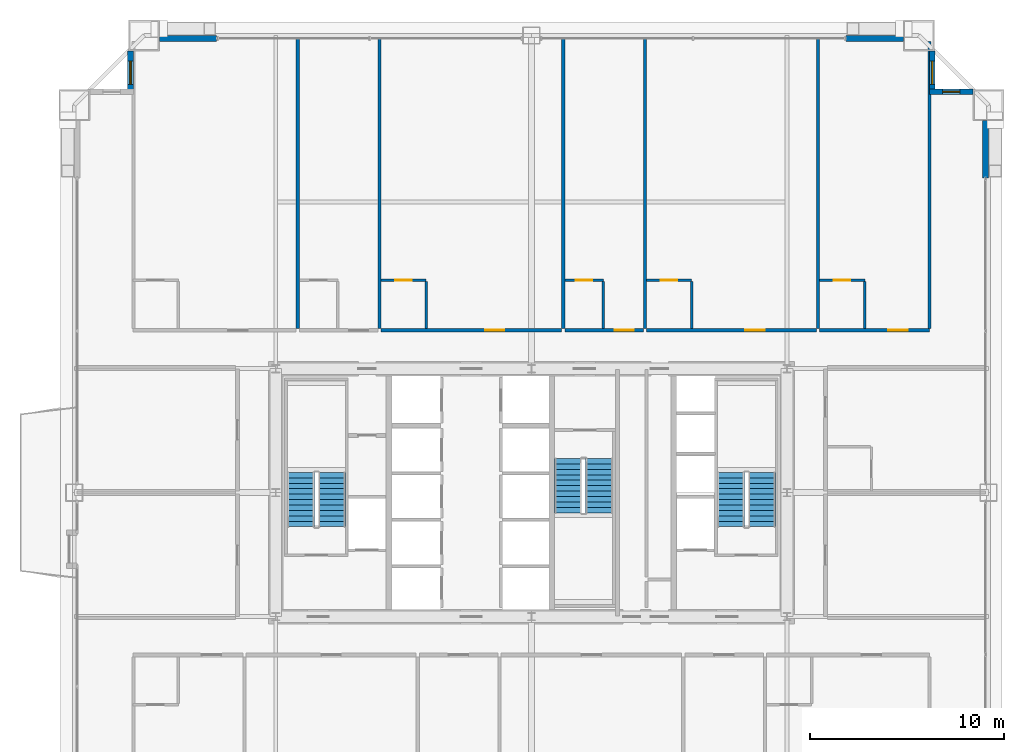
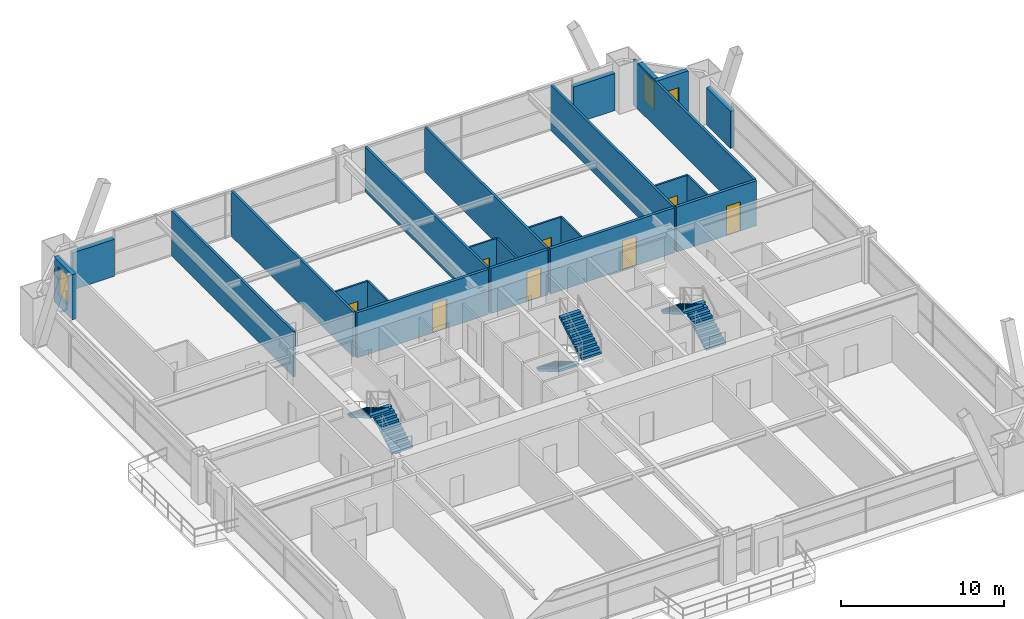
# One storey, part 41 of 42: 24 walls, 8 doors, 6 stair flights, 3 windows, 11 openings, 3 elements without a shape of their own.
"""IFC4 building model written with IfcOpenShell, lengths in metres."""

from ifc_helpers import new_model, si_unit, direction, frame, frame_2d, origin, place, context, subcontext, project, spatial, polyline, rectangle, outline, extrude, source, transform, mapped, material, layer, layer_set, type_object, element, fill, aggregate, save


model = new_model("IFC4")

# Units and contexts
model_context = context("Model", 3, precision=1e-05, world=origin(), true_north=direction((0.0, 1.0)))
body_context = subcontext(model_context, "Body", "Model", "MODEL_VIEW")
ifc_project = project(units=[si_unit("LENGTHUNIT", "METRE"), si_unit("AREAUNIT", "SQUARE_METRE"), si_unit("VOLUMEUNIT", "CUBIC_METRE"), si_unit("PLANEANGLEUNIT", "RADIAN"), si_unit("MASSUNIT", "GRAM", prefix="KILO"), si_unit("THERMODYNAMICTEMPERATUREUNIT", "KELVIN"), si_unit("POWERUNIT", "WATT")], contexts=[model_context])

# Site, building, storey
site_placement = place(None, origin())
site = spatial("IfcSite", under=ifc_project, at=site_placement, CompositionType="ELEMENT")
building_placement = place(site_placement, origin())
building = spatial("IfcBuilding", under=site, at=building_placement, Name="Yuzanri Waterfront Tower", CompositionType="ELEMENT")
storey_placement = place(building_placement, frame((0.0, 0.0, 145.199951171875)))
storey = spatial("IfcBuildingStorey", under=building, at=storey_placement, Name="L38", CompositionType="ELEMENT", Elevation=145.199951171875)

# Wall, opening, door
ifc_material_1 = material(Name="Moisture-Resistant Gypsum Stud Wall", Category="gypsum")
ifc_layer_1 = layer(ifc_material_1, 0.1201171875)
ifc_layer_set_1 = layer_set([ifc_layer_1], Name="Moisture-Resistant Gypsum Stud Wall")
wall_type_1 = type_object("IfcWallType", Name="Bathroom and Kitchen Wet Partition 120", PredefinedType="PARTITIONING", material=ifc_layer_set_1)
wall_1_placement = place(storey_placement, frame((29.239990234375, 36.760009765625, 0.0), z_axis=(0.0, 0.0, 1.0), x_axis=(1.0, 0.0, 0.0)))
wall_1 = element("IfcWall", 1, at=wall_1_placement, inside=storey, type_object=wall_type_1, Name="L38 Partition UW-L38-N3-BN", PredefinedType="PARTITIONING", context=body_context, shape_type="SweptSolid", body=[
    extrude(rectangle(XDim=2.330078125, YDim=0.1201171875, at=frame_2d((1.1650390625, 0.0))), origin(), (0.0, 0.0, 1.0), 3.380126953125),
])
opening_1_placement = place(wall_1_placement, frame((0.739990234375, 0.0, 0.0)))
opening_1 = element("IfcOpeningElement", 2, at=opening_1_placement, cuts=wall_1, Name="Opening ID-0850", PredefinedType="OPENING", context=body_context, shape_type="SweptSolid", body=[
    extrude(rectangle(XDim=0.85009765625, YDim=2.10009765625, at=frame_2d((0.425048828125, 1.050048828125))), frame((0.0, 0.074951171875, 0.0), z_axis=(0.0, -1.0, 0.0), x_axis=(1.0, 0.0, 0.0)), (0.0, 0.0, 1.0), 0.14990234375),
])
ifc_material_2 = material(Name="Moisture-Resistant Lacquered Timber", Category="wood")
door_type_1 = type_object("IfcDoorType", Name="En-Suite Bathroom and Kitchen Swing Door 850x2100", OperationType="NOTDEFINED", PredefinedType="DOOR", material=ifc_material_2)
shared_shape_1 = source(origin(), body_context, "Body", "SweptSolid", [
    extrude(rectangle(XDim=0.85009765625, YDim=2.10009765625, at=frame_2d((0.425048828125, 1.050048828125))), frame((0.0, 0.02490234375, 0.0), z_axis=(0.0, -1.0, 0.0), x_axis=(1.0, 0.0, 0.0)), (0.0, 0.0, 1.0), 0.050048828125),
])
door_1_placement = place(opening_1_placement, origin())
door_1 = element("IfcDoor", 3, at=door_1_placement, inside=storey, type_object=door_type_1, Name="L38 Guest En-Suite Door", OperationType="SINGLE_SWING_LEFT", OverallHeight=2.10009765625, OverallWidth=0.85009765625, PredefinedType="DOOR", context=body_context, shape_type="MappedRepresentation", body=[
    mapped(shared_shape_1, transform((0.0, 0.0, 0.0), scale=1.0)),
])
fill(opening_1, door_1)

wall_2_placement = place(storey_placement, frame((38.72509765625, 36.760009765625, 0.0), z_axis=(0.0, 0.0, 1.0), x_axis=(1.0, 0.0, 0.0)))
wall_2 = element("IfcWall", 4, at=wall_2_placement, inside=storey, type_object=wall_type_1, Name="L38 Partition UW-L38-N4-BN", PredefinedType="PARTITIONING", context=body_context, shape_type="SweptSolid", body=[
    extrude(rectangle(XDim=1.990966796875, YDim=0.1201171875, at=frame_2d((0.99560546875, 0.0))), origin(), (0.0, 0.0, 1.0), 3.380126953125),
])
opening_2_placement = place(wall_2_placement, frame((0.570556640625, 0.0, 0.0)))
opening_2 = element("IfcOpeningElement", 5, at=opening_2_placement, cuts=wall_2, Name="Opening ID-0850", PredefinedType="OPENING", context=body_context, shape_type="SweptSolid", body=[
    extrude(rectangle(XDim=0.85009765625, YDim=2.10009765625, at=frame_2d((0.425048828125, 1.050048828125))), frame((0.0, 0.074951171875, 0.0), z_axis=(0.0, -1.0, 0.0), x_axis=(1.0, 0.0, 0.0)), (0.0, 0.0, 1.0), 0.14990234375),
])
door_2_placement = place(opening_2_placement, origin())
door_2 = element("IfcDoor", 6, at=door_2_placement, inside=storey, type_object=door_type_1, Name="L38 Guest En-Suite Door", OperationType="SINGLE_SWING_LEFT", OverallHeight=2.10009765625, OverallWidth=0.85009765625, PredefinedType="DOOR", context=body_context, shape_type="MappedRepresentation", body=[
    mapped(shared_shape_1, transform((0.0, 0.0, 0.0), scale=1.0)),
])
fill(opening_2, door_2)

wall_3_placement = place(storey_placement, frame((42.946044921875, 36.760009765625, 0.0), z_axis=(0.0, 0.0, 1.0), x_axis=(1.0, 0.0, 0.0)))
wall_3 = element("IfcWall", 7, at=wall_3_placement, inside=storey, type_object=wall_type_1, Name="L38 Partition UW-L38-N5-BN", PredefinedType="PARTITIONING", context=body_context, shape_type="SweptSolid", body=[
    extrude(rectangle(XDim=2.329833984375, YDim=0.1201171875, at=frame_2d((1.1650390625, 0.0))), origin(), (0.0, 0.0, 1.0), 3.380126953125),
])
opening_3_placement = place(wall_3_placement, frame((0.739990234375, 0.0, 0.0)))
opening_3 = element("IfcOpeningElement", 8, at=opening_3_placement, cuts=wall_3, Name="Opening ID-0850", PredefinedType="OPENING", context=body_context, shape_type="SweptSolid", body=[
    extrude(rectangle(XDim=0.85009765625, YDim=2.10009765625, at=frame_2d((0.425048828125, 1.050048828125))), frame((0.0, 0.074951171875, 0.0), z_axis=(0.0, -1.0, 0.0), x_axis=(1.0, 0.0, 0.0)), (0.0, 0.0, 1.0), 0.14990234375),
])
door_3_placement = place(opening_3_placement, origin())
door_3 = element("IfcDoor", 9, at=door_3_placement, inside=storey, type_object=door_type_1, Name="L38 Guest En-Suite Door", OperationType="SINGLE_SWING_LEFT", OverallHeight=2.10009765625, OverallWidth=0.85009765625, PredefinedType="DOOR", context=body_context, shape_type="MappedRepresentation", body=[
    mapped(shared_shape_1, transform((0.0, 0.0, 0.0), scale=1.0)),
])
fill(opening_3, door_3)

wall_4_placement = place(storey_placement, frame((51.883056640625, 36.760009765625, 0.0), z_axis=(0.0, 0.0, 1.0), x_axis=(1.0, 0.0, 0.0)))
wall_4 = element("IfcWall", 10, at=wall_4_placement, inside=storey, type_object=wall_type_1, Name="L38 Partition UW-L38-N6-BN", PredefinedType="PARTITIONING", context=body_context, shape_type="SweptSolid", body=[
    extrude(rectangle(XDim=2.329833984375, YDim=0.1201171875, at=frame_2d((1.1650390625, 0.0))), origin(), (0.0, 0.0, 1.0), 3.380126953125),
])
opening_4_placement = place(wall_4_placement, frame((0.739990234375, 0.0, 0.0)))
opening_4 = element("IfcOpeningElement", 11, at=opening_4_placement, cuts=wall_4, Name="Opening ID-0850", PredefinedType="OPENING", context=body_context, shape_type="SweptSolid", body=[
    extrude(rectangle(XDim=0.85009765625, YDim=2.10009765625, at=frame_2d((0.425048828125, 1.050048828125))), frame((0.0, 0.074951171875, 0.0), z_axis=(0.0, -1.0, 0.0), x_axis=(1.0, 0.0, 0.0)), (0.0, 0.0, 1.0), 0.14990234375),
])
door_4_placement = place(opening_4_placement, origin())
door_4 = element("IfcDoor", 12, at=door_4_placement, inside=storey, type_object=door_type_1, Name="L38 Guest En-Suite Door", OperationType="SINGLE_SWING_LEFT", OverallHeight=2.10009765625, OverallWidth=0.85009765625, PredefinedType="DOOR", context=body_context, shape_type="MappedRepresentation", body=[
    mapped(shared_shape_1, transform((0.0, 0.0, 0.0), scale=1.0)),
])
fill(opening_4, door_4)

# Wall, opening, window
ifc_material_3 = material(Name="Honed Chongqing Dark Basalt Stone", Category="masonry")
ifc_layer_2 = layer(ifc_material_3, 0.300048828125)
ifc_layer_set_2 = layer_set([ifc_layer_2], Name="Honed Chongqing Dark Basalt Stone")
wall_type_2 = type_object("IfcWallType", Name="Bronze Rainscreen Insulated Spandrel Portal Wall 300", PredefinedType="SOLIDWALL", material=ifc_layer_set_2)
wall_5_placement = place(storey_placement, frame((16.300048828125, 48.60009765625, 0.0), z_axis=(0.0, 0.0, 1.0), x_axis=(0.0, -1.0, 0.0)))
wall_5 = element("IfcWall", 13, at=wall_5_placement, inside=storey, type_object=wall_type_2, Name="L38 Notched Corner Masonry Wall NW-Y", PredefinedType="SOLIDWALL", context=body_context, shape_type="SweptSolid", body=[
    extrude(rectangle(XDim=2.25, YDim=0.300048828125, at=frame_2d((1.125, 0.0))), origin(), (0.0, 0.0, 1.0), 3.380126953125),
])
opening_5_placement = place(wall_5_placement, frame((0.52490234375, 0.0, 0.85009765625)))
opening_5 = element("IfcOpeningElement", 14, at=opening_5_placement, cuts=wall_5, Name="Opening WN-02", PredefinedType="OPENING", context=body_context, shape_type="SweptSolid", body=[
    extrude(rectangle(XDim=1.199951171875, YDim=2.10009765625, at=frame_2d((0.60009765625, 1.050048828125))), frame((0.0, 0.1650390625, 0.0), z_axis=(0.0, -1.0, 0.0), x_axis=(1.0, 0.0, 0.0)), (0.0, 0.0, 1.0), 0.329833984375),
])
ifc_material_4 = material(Name="Double-Silver Low-E Insulated Glass", Category="glass")
window_type_1 = type_object("IfcWindowType", Name="Anodized Bronze Notched Corner Deep-Set Slot Window 1200x2100", PartitioningType="SINGLE_PANEL", PredefinedType="WINDOW", material=ifc_material_4)
shared_shape_2 = source(origin(), body_context, "Body", "SweptSolid", [
    extrude(rectangle(XDim=1.199951171875, YDim=2.10009765625, at=frame_2d((0.60009765625, 1.050048828125))), frame((0.0, 0.030029296875, 0.0), z_axis=(0.0, -1.0, 0.0), x_axis=(1.0, 0.0, 0.0)), (0.0, 0.0, 1.0), 0.06005859375),
])
window_1_placement = place(opening_5_placement, origin())
window_1 = element("IfcWindow", 15, at=window_1_placement, inside=storey, type_object=window_type_1, Name="L38 Notched Corner Window NW-Y", OverallHeight=2.10009765625, OverallWidth=1.199951171875, PartitioningType="SINGLE_PANEL", PredefinedType="WINDOW", context=body_context, shape_type="MappedRepresentation", body=[
    mapped(shared_shape_2, transform((0.0, 0.0, 0.0), scale=1.0)),
])
fill(opening_5, window_1)

wall_6_placement = place(storey_placement, frame((59.800048828125, 46.5, 0.0), z_axis=(0.0, 0.0, 1.0), x_axis=(-1.0, 0.0, 0.0)))
wall_6 = element("IfcWall", 16, at=wall_6_placement, inside=storey, type_object=wall_type_2, Name="L38 Notched Corner Masonry Wall NE-X", PredefinedType="SOLIDWALL", context=body_context, shape_type="SweptSolid", body=[
    extrude(rectangle(XDim=2.25, YDim=0.300048828125, at=frame_2d((1.125, 0.0))), origin(), (0.0, 0.0, 1.0), 3.380126953125),
])
opening_6_placement = place(wall_6_placement, frame((0.675048828125, 0.0, 0.85009765625)))
opening_6 = element("IfcOpeningElement", 17, at=opening_6_placement, cuts=wall_6, Name="Opening WN-05", PredefinedType="OPENING", context=body_context, shape_type="SweptSolid", body=[
    extrude(rectangle(XDim=0.89990234375, YDim=1.5, at=frame_2d((0.449951171875, 0.75))), frame((0.0, 0.1650390625, 0.0), z_axis=(0.0, -1.0, 0.0), x_axis=(1.0, 0.0, 0.0)), (0.0, 0.0, 1.0), 0.329833984375),
])
ifc_material_5 = material(Name="Double-Silver Low-E Insulated Glass", Category="glass")
window_type_2 = type_object("IfcWindowType", Name="Anodized Bronze Service and Stairwell Smoke-Vent Window 900x1500", PartitioningType="SINGLE_PANEL", PredefinedType="WINDOW", material=ifc_material_5)
shared_shape_3 = source(origin(), body_context, "Body", "SweptSolid", [
    extrude(rectangle(XDim=0.89990234375, YDim=1.5, at=frame_2d((0.449951171875, 0.75))), frame((0.0, 0.030029296875, 0.0), z_axis=(0.0, -1.0, 0.0), x_axis=(1.0, 0.0, 0.0)), (0.0, 0.0, 1.0), 0.06005859375),
])
window_2_placement = place(opening_6_placement, origin())
window_2 = element("IfcWindow", 18, at=window_2_placement, inside=storey, type_object=window_type_2, Name="L38 Notched Corner Window NE-X", OverallHeight=1.5, OverallWidth=0.89990234375, PartitioningType="SINGLE_PANEL", PredefinedType="WINDOW", context=body_context, shape_type="MappedRepresentation", body=[
    mapped(shared_shape_3, transform((0.0, 0.0, 0.0), scale=1.0)),
])
fill(opening_6, window_2)

wall_7_placement = place(storey_placement, frame((57.699951171875, 46.35009765625, 0.0), z_axis=(0.0, 0.0, 1.0), x_axis=(0.0, 1.0, 0.0)))
wall_7 = element("IfcWall", 19, at=wall_7_placement, inside=storey, type_object=wall_type_2, Name="L38 Notched Corner Masonry Wall NE-Y", PredefinedType="SOLIDWALL", context=body_context, shape_type="SweptSolid", body=[
    extrude(rectangle(XDim=2.25, YDim=0.300048828125, at=frame_2d((1.125, 0.0))), origin(), (0.0, 0.0, 1.0), 3.380126953125),
])
opening_7_placement = place(wall_7_placement, frame((0.52490234375, 0.0, 0.85009765625)))
opening_7 = element("IfcOpeningElement", 20, at=opening_7_placement, cuts=wall_7, Name="Opening WN-02", PredefinedType="OPENING", context=body_context, shape_type="SweptSolid", body=[
    extrude(rectangle(XDim=1.199951171875, YDim=2.10009765625, at=frame_2d((0.60009765625, 1.050048828125))), frame((0.0, 0.1650390625, 0.0), z_axis=(0.0, -1.0, 0.0), x_axis=(1.0, 0.0, 0.0)), (0.0, 0.0, 1.0), 0.329833984375),
])
window_3_placement = place(opening_7_placement, origin())
window_3 = element("IfcWindow", 21, at=window_3_placement, inside=storey, type_object=window_type_1, Name="L38 Notched Corner Window NE-Y", OverallHeight=2.10009765625, OverallWidth=1.199951171875, PartitioningType="SINGLE_PANEL", PredefinedType="WINDOW", context=body_context, shape_type="MappedRepresentation", body=[
    mapped(shared_shape_2, transform((0.0, 0.0, 0.0), scale=1.0)),
])
fill(opening_7, window_3)

# Wall, opening, door
ifc_material_6 = material(Name="Autoclaved Aerated Concrete Blockwork", Category="masonry")
ifc_layer_3 = layer(ifc_material_6, 0.199951171875)
ifc_layer_set_3 = layer_set([ifc_layer_3], Name="Autoclaved Aerated Concrete Blockwork")
wall_type_3 = type_object("IfcWallType", Name="Corridor and Unit Party Fire Wall 200", PredefinedType="PARTITIONING", material=ifc_layer_set_3)
wall_8_placement = place(storey_placement, frame((29.239990234375, 34.179931640625, 0.0), z_axis=(0.0, 0.0, 1.0), x_axis=(1.0, 0.0, 0.0)))
wall_8 = element("IfcWall", 22, at=wall_8_placement, inside=storey, type_object=wall_type_3, Name="L38 Partition UW-L38-N3-CS", PredefinedType="PARTITIONING", context=body_context, shape_type="SweptSolid", body=[
    extrude(rectangle(XDim=9.324951171875, YDim=0.199951171875, at=frame_2d((4.66259765625, 0.0))), origin(), (0.0, 0.0, 1.0), 3.380126953125),
])
opening_8_placement = place(wall_8_placement, frame((5.367919921875, 0.0, 0.0)))
opening_8 = element("IfcOpeningElement", 23, at=opening_8_placement, cuts=wall_8, Name="Opening FD-1000", PredefinedType="OPENING", context=body_context, shape_type="SweptSolid", body=[
    extrude(rectangle(XDim=1.0, YDim=2.199951171875, at=frame_2d((0.5, 1.10009765625))), frame((0.0, 0.11474609375, 0.0), z_axis=(0.0, -1.0, 0.0), x_axis=(1.0, 0.0, 0.0)), (0.0, 0.0, 1.0), 0.229736328125),
])
ifc_material_7 = material(Name="Engineered Oak Fire-Rated Timber", Category="wood")
door_type_2 = type_object("IfcDoorType", Name="Guestroom and Apartment Entrance Fire Door 1000x2200", OperationType="NOTDEFINED", PredefinedType="DOOR", material=ifc_material_7)
shared_shape_4 = source(origin(), body_context, "Body", "SweptSolid", [
    extrude(rectangle(XDim=1.0, YDim=2.199951171875, at=frame_2d((0.5, 1.10009765625))), frame((0.0, 0.02490234375, 0.0), z_axis=(0.0, -1.0, 0.0), x_axis=(1.0, 0.0, 0.0)), (0.0, 0.0, 1.0), 0.050048828125),
])
door_5_placement = place(opening_8_placement, origin())
door_5 = element("IfcDoor", 24, at=door_5_placement, inside=storey, type_object=door_type_2, Name="L38 Deluxe Twin Junior Suite Entrance Door", OperationType="SINGLE_SWING_RIGHT", OverallHeight=2.199951171875, OverallWidth=1.0, PredefinedType="DOOR", context=body_context, shape_type="MappedRepresentation", body=[
    mapped(shared_shape_4, transform((0.0, 0.0, 0.0), scale=1.0)),
])
fill(opening_8, door_5)

wall_9_placement = place(storey_placement, frame((38.72509765625, 34.179931640625, 0.0), z_axis=(0.0, 0.0, 1.0), x_axis=(1.0, 0.0, 0.0)))
wall_9 = element("IfcWall", 25, at=wall_9_placement, inside=storey, type_object=wall_type_3, Name="L38 Partition UW-L38-N4-CS", PredefinedType="PARTITIONING", context=body_context, shape_type="SweptSolid", body=[
    extrude(rectangle(XDim=4.060791015625, YDim=0.199951171875, at=frame_2d((2.0302734375, 0.0))), origin(), (0.0, 0.0, 1.0), 3.380126953125),
])
opening_9_placement = place(wall_9_placement, frame((2.56591796875, 0.0, 0.0)))
opening_9 = element("IfcOpeningElement", 26, at=opening_9_placement, cuts=wall_9, Name="Opening FD-1000", PredefinedType="OPENING", context=body_context, shape_type="SweptSolid", body=[
    extrude(rectangle(XDim=1.0, YDim=2.199951171875, at=frame_2d((0.5, 1.10009765625))), frame((0.0, 0.11474609375, 0.0), z_axis=(0.0, -1.0, 0.0), x_axis=(1.0, 0.0, 0.0)), (0.0, 0.0, 1.0), 0.229736328125),
])
door_6_placement = place(opening_9_placement, origin())
door_6 = element("IfcDoor", 27, at=door_6_placement, inside=storey, type_object=door_type_2, Name="L38 Deluxe Twin Guest Room Entrance Door", OperationType="SINGLE_SWING_RIGHT", OverallHeight=2.199951171875, OverallWidth=1.0, PredefinedType="DOOR", context=body_context, shape_type="MappedRepresentation", body=[
    mapped(shared_shape_4, transform((0.0, 0.0, 0.0), scale=1.0)),
])
fill(opening_9, door_6)

wall_10_placement = place(storey_placement, frame((42.946044921875, 34.179931640625, 0.0), z_axis=(0.0, 0.0, 1.0), x_axis=(1.0, 0.0, 0.0)))
wall_10 = element("IfcWall", 28, at=wall_10_placement, inside=storey, type_object=wall_type_3, Name="L38 Partition UW-L38-N5-CS", PredefinedType="PARTITIONING", context=body_context, shape_type="SweptSolid", body=[
    extrude(rectangle(XDim=8.77685546875, YDim=0.199951171875, at=frame_2d((4.388427734375, 0.0))), origin(), (0.0, 0.0, 1.0), 3.380126953125),
])
opening_10_placement = place(wall_10_placement, frame((5.093017578125, 0.0, 0.0)))
opening_10 = element("IfcOpeningElement", 29, at=opening_10_placement, cuts=wall_10, Name="Opening FD-1000", PredefinedType="OPENING", context=body_context, shape_type="SweptSolid", body=[
    extrude(rectangle(XDim=1.0, YDim=2.199951171875, at=frame_2d((0.5, 1.10009765625))), frame((0.0, 0.11474609375, 0.0), z_axis=(0.0, -1.0, 0.0), x_axis=(1.0, 0.0, 0.0)), (0.0, 0.0, 1.0), 0.229736328125),
])
door_7_placement = place(opening_10_placement, origin())
door_7 = element("IfcDoor", 30, at=door_7_placement, inside=storey, type_object=door_type_2, Name="L38 Deluxe Twin Junior Suite Entrance Door", OperationType="SINGLE_SWING_RIGHT", OverallHeight=2.199951171875, OverallWidth=1.0, PredefinedType="DOOR", context=body_context, shape_type="MappedRepresentation", body=[
    mapped(shared_shape_4, transform((0.0, 0.0, 0.0), scale=1.0)),
])
fill(opening_10, door_7)

wall_11_placement = place(storey_placement, frame((51.883056640625, 34.179931640625, 0.0), z_axis=(0.0, 0.0, 1.0), x_axis=(1.0, 0.0, 0.0)))
wall_11 = element("IfcWall", 31, at=wall_11_placement, inside=storey, type_object=wall_type_3, Name="L38 Partition UW-L38-N6-CS", PredefinedType="PARTITIONING", context=body_context, shape_type="SweptSolid", body=[
    extrude(rectangle(XDim=5.677001953125, YDim=0.199951171875, at=frame_2d((2.83837890625, 0.0))), origin(), (0.0, 0.0, 1.0), 3.380126953125),
])
opening_11_placement = place(wall_11_placement, frame((3.5439453125, 0.0, 0.0)))
opening_11 = element("IfcOpeningElement", 32, at=opening_11_placement, cuts=wall_11, Name="Opening FD-1000", PredefinedType="OPENING", context=body_context, shape_type="SweptSolid", body=[
    extrude(rectangle(XDim=1.0, YDim=2.199951171875, at=frame_2d((0.5, 1.10009765625))), frame((0.0, 0.11474609375, 0.0), z_axis=(0.0, -1.0, 0.0), x_axis=(1.0, 0.0, 0.0)), (0.0, 0.0, 1.0), 0.229736328125),
])
door_8_placement = place(opening_11_placement, origin())
door_8 = element("IfcDoor", 33, at=door_8_placement, inside=storey, type_object=door_type_2, Name="L38 Deluxe Twin Junior Suite Entrance Door", OperationType="SINGLE_SWING_RIGHT", OverallHeight=2.199951171875, OverallWidth=1.0, PredefinedType="DOOR", context=body_context, shape_type="MappedRepresentation", body=[
    mapped(shared_shape_4, transform((0.0, 0.0, 0.0), scale=1.0)),
])
fill(opening_11, door_8)

# Walls
shared_shape_5 = source(origin(), body_context, "Body", "SweptSolid", [
    extrude(rectangle(XDim=2.949951171875, YDim=0.300048828125, at=frame_2d((1.47509765625, 0.0))), origin(), (0.0, 0.0, 1.0), 2.775146484375),
])
for number, where, z_axis, x_axis, name in (
    (34, (17.800048828125, 49.25, 0.0), (0.0, 0.0, 1.0), (1.0, 0.0, 0.0), "L38 N Left Braced Masonry Shoulder"),
    (35, (53.25, 49.25, 0.0), (0.0, 0.0, 1.0), (1.0, 0.0, 0.0), "L38 N Right Braced Masonry Shoulder"),
    (36, (60.449951171875, 42.050048828125, 0.0), (0.0, 0.0, 1.0), (0.0, 1.0, 0.0), "L38 E Right Braced Masonry Shoulder"),
):
    element("IfcWall", number, at=place(storey_placement, frame(where, z_axis=z_axis, x_axis=x_axis)), inside=storey, type_object=wall_type_2, Name=name, PredefinedType="SOLIDWALL", context=body_context, shape_type="MappedRepresentation", body=[
        mapped(shared_shape_5, transform((0.0, 0.0, 0.0), scale=1.0)),
    ])
shared_shape_6 = source(origin(), body_context, "Body", "SweptSolid", [
    extrude(rectangle(XDim=2.419921875, YDim=0.1201171875, at=frame_2d((1.2099609375, 0.0))), origin(), (0.0, 0.0, 1.0), 3.380126953125),
])
for number, where, z_axis, x_axis, name in (
    (37, (31.570068359375, 34.280029296875, 0.0), (0.0, 0.0, 1.0), (0.0, 1.0, 0.0), "L38-N3 En-Suite Side Wall"),
    (38, (40.716064453125, 34.280029296875, 0.0), (0.0, 0.0, 1.0), (0.0, 1.0, 0.0), "L38-N4 En-Suite Side Wall"),
    (39, (45.27587890625, 34.280029296875, 0.0), (0.0, 0.0, 1.0), (0.0, 1.0, 0.0), "L38-N5 En-Suite Side Wall"),
    (40, (54.212890625, 34.280029296875, 0.0), (0.0, 0.0, 1.0), (0.0, 1.0, 0.0), "L38-N6 En-Suite Side Wall"),
):
    element("IfcWall", number, at=place(storey_placement, frame(where, z_axis=z_axis, x_axis=x_axis)), inside=storey, type_object=wall_type_1, Name=name, PredefinedType="PARTITIONING", context=body_context, shape_type="MappedRepresentation", body=[
        mapped(shared_shape_6, transform((0.0, 0.0, 0.0), scale=1.0)),
    ])
ifc_material_8 = material(Name="Gypsum Fireboard Acoustic Stud Wall", Category="gypsum")
ifc_layer_4 = layer(ifc_material_8, 0.159912109375)
ifc_layer_set_4 = layer_set([ifc_layer_4], Name="Gypsum Fireboard Acoustic Stud Wall")
wall_type_4 = type_object("IfcWallType", Name="Acoustic Suite Demising Partition 160", PredefinedType="PARTITIONING", material=ifc_layer_set_4)
shared_shape_7 = source(origin(), body_context, "Body", "SweptSolid", [
    extrude(rectangle(XDim=14.969970703125, YDim=0.159912109375, at=frame_2d((7.48486328125, 0.0))), origin(), (0.0, 0.0, 1.0), 3.380126953125),
])
for number, where, z_axis, x_axis, name in (
    (41, (24.93798828125, 34.280029296875, 0.0), (0.0, 0.0, 1.0), (0.0, 1.0, 0.0), "L38-N1 Party Wall"),
    (42, (29.159912109375, 34.280029296875, 0.0), (0.0, 0.0, 1.0), (0.0, 1.0, 0.0), "L38-N2 Party Wall"),
    (43, (38.64501953125, 34.280029296875, 0.0), (0.0, 0.0, 1.0), (0.0, 1.0, 0.0), "L38-N3 Party Wall"),
    (44, (42.865966796875, 34.280029296875, 0.0), (0.0, 0.0, 1.0), (0.0, 1.0, 0.0), "L38-N4 Party Wall"),
    (45, (51.802978515625, 34.280029296875, 0.0), (0.0, 0.0, 1.0), (0.0, 1.0, 0.0), "L38-N5 Party Wall"),
):
    element("IfcWall", number, at=place(storey_placement, frame(where, z_axis=z_axis, x_axis=x_axis)), inside=storey, type_object=wall_type_4, Name=name, PredefinedType="PARTITIONING", context=body_context, shape_type="MappedRepresentation", body=[
        mapped(shared_shape_7, transform((0.0, 0.0, 0.0), scale=1.0)),
    ])
shared_shape_8 = source(origin(), body_context, "Body", "SweptSolid", [
    extrude(rectangle(XDim=14.820068359375, YDim=0.159912109375, at=frame_2d((7.41015625, 0.0))), origin(), (0.0, 0.0, 1.0), 3.380126953125),
])
wall_12_placement = place(storey_placement, frame((57.550048828125, 34.280029296875, 0.0), z_axis=(0.0, 0.0, 1.0), x_axis=(0.0, 1.0, 0.0)))
element("IfcWall", 46, at=wall_12_placement, inside=storey, type_object=wall_type_4, Name="L38 North Band East End Wall", PredefinedType="PARTITIONING", context=body_context, shape_type="MappedRepresentation", body=[
    mapped(shared_shape_8, transform((0.0, 0.0, 0.0), scale=1.0)),
])

# Stair, stair flights
ifc_material_9 = material(Name="Concrete C40", Category="concrete")
stair_type = type_object("IfcStairType", Name="Concrete C40 Core Dogleg Exit Stair", PredefinedType="HALF_TURN_STAIR", material=ifc_material_9)
stair_1_placement = place(storey_placement, origin())
stair_1 = element("IfcStair", 47, at=stair_1_placement, inside=storey, type_object=stair_type, Name="L38 Smoke-Proof Core Stair ST-01", PredefinedType="HALF_TURN_STAIR")
ifc_material_10 = material(Name="Concrete C40", Category="concrete")
stair_flight_type = type_object("IfcStairFlightType", Name="Concrete C40 Precast Stair Flight 1380", PredefinedType="STRAIGHT", material=ifc_material_10)
shared_shape_9 = source(origin(), body_context, "Body", "SweptSolid", [
    extrude(outline(polyline([(0.0, 0.0), (0.0, 0.16357421875), (0.280029296875, 0.16357421875), (0.280029296875, 0.327392578125), (0.56005859375, 0.327392578125), (0.56005859375, 0.490966796875), (0.840087890625, 0.490966796875), (0.840087890625, 0.654541015625), (1.1201171875, 0.654541015625), (1.1201171875, 0.818115234375), (1.39990234375, 0.818115234375), (1.39990234375, 0.98193359375), (1.679931640625, 0.98193359375), (1.679931640625, 1.1455078125), (1.9599609375, 1.1455078125), (1.9599609375, 1.30908203125), (2.239990234375, 1.30908203125), (2.239990234375, 1.47265625), (2.52001953125, 1.47265625), (2.52001953125, 1.636474609375), (2.800048828125, 1.636474609375), (2.800048828125, 1.800048828125), (2.800048828125, 1.462646484375), (0.297119140625, 0.0), (0.0, 0.0)])), frame((0.0, 0.699951171875, 0.0), z_axis=(0.0, -1.0, 0.0), x_axis=(1.0, 0.0, 0.0)), (0.0, 0.0, 1.0), 1.39990234375),
])
stair_flight_1_placement = place(storey_placement, frame((26.699951171875, 24.0400390625, 0.0), z_axis=(0.0, 0.0, 1.0), x_axis=(0.0, 1.0, 0.0)))
stair_flight_1 = element("IfcStairFlight", 48, at=stair_flight_1_placement, type_object=stair_flight_type, Name="ST-01 flight 1", NumberOfRisers=11, NumberOfTreads=10, PredefinedType="STRAIGHT", RiserHeight=0.163636364, TreadLength=0.28, context=body_context, shape_type="MappedRepresentation", body=[
    mapped(shared_shape_9, transform((0.0, 0.0, 0.0), scale=1.0)),
])
stair_flight_2_placement = place(storey_placement, frame((25.10009765625, 26.840087890625, 1.800048828125), z_axis=(0.0, 0.0, 1.0), x_axis=(0.0, -1.0, 0.0)))
stair_flight_2 = element("IfcStairFlight", 49, at=stair_flight_2_placement, type_object=stair_flight_type, Name="ST-01 flight 2", NumberOfRisers=11, NumberOfTreads=10, PredefinedType="STRAIGHT", RiserHeight=0.163636364, TreadLength=0.28, context=body_context, shape_type="MappedRepresentation", body=[
    mapped(shared_shape_9, transform((0.0, 0.0, 0.0), scale=1.0)),
])
aggregate(stair_1, [stair_flight_1, stair_flight_2])

stair_2_placement = place(storey_placement, origin())
stair_2 = element("IfcStair", 50, at=stair_2_placement, inside=storey, type_object=stair_type, Name="L38 Smoke-Proof Core Stair ST-02", PredefinedType="HALF_TURN_STAIR")
stair_flight_3_placement = place(storey_placement, frame((48.89990234375, 24.0400390625, 0.0), z_axis=(0.0, 0.0, 1.0), x_axis=(0.0, 1.0, 0.0)))
stair_flight_3 = element("IfcStairFlight", 51, at=stair_flight_3_placement, type_object=stair_flight_type, Name="ST-02 flight 1", NumberOfRisers=11, NumberOfTreads=10, PredefinedType="STRAIGHT", RiserHeight=0.163636364, TreadLength=0.28, context=body_context, shape_type="MappedRepresentation", body=[
    mapped(shared_shape_9, transform((0.0, 0.0, 0.0), scale=1.0)),
])
stair_flight_4_placement = place(storey_placement, frame((47.300048828125, 26.840087890625, 1.800048828125), z_axis=(0.0, 0.0, 1.0), x_axis=(0.0, -1.0, 0.0)))
stair_flight_4 = element("IfcStairFlight", 52, at=stair_flight_4_placement, type_object=stair_flight_type, Name="ST-02 flight 2", NumberOfRisers=11, NumberOfTreads=10, PredefinedType="STRAIGHT", RiserHeight=0.163636364, TreadLength=0.28, context=body_context, shape_type="MappedRepresentation", body=[
    mapped(shared_shape_9, transform((0.0, 0.0, 0.0), scale=1.0)),
])
aggregate(stair_2, [stair_flight_3, stair_flight_4])

stair_3_placement = place(storey_placement, origin())
stair_3 = element("IfcStair", 53, at=stair_3_placement, inside=storey, type_object=stair_type, Name="L38 Smoke-Proof Core Stair ST-03", PredefinedType="HALF_TURN_STAIR")
stair_flight_5_placement = place(storey_placement, frame((38.89990234375, 27.56005859375, 0.0), z_axis=(0.0, 0.0, 1.0), x_axis=(0.0, -1.0, 0.0)))
stair_flight_5 = element("IfcStairFlight", 54, at=stair_flight_5_placement, type_object=stair_flight_type, Name="ST-03 flight 1", NumberOfRisers=11, NumberOfTreads=10, PredefinedType="STRAIGHT", RiserHeight=0.163636364, TreadLength=0.28, context=body_context, shape_type="MappedRepresentation", body=[
    mapped(shared_shape_9, transform((0.0, 0.0, 0.0), scale=1.0)),
])
stair_flight_6_placement = place(storey_placement, frame((40.5, 24.760009765625, 1.800048828125), z_axis=(0.0, 0.0, 1.0), x_axis=(0.0, 1.0, 0.0)))
stair_flight_6 = element("IfcStairFlight", 55, at=stair_flight_6_placement, type_object=stair_flight_type, Name="ST-03 flight 2", NumberOfRisers=11, NumberOfTreads=10, PredefinedType="STRAIGHT", RiserHeight=0.163636364, TreadLength=0.28, context=body_context, shape_type="MappedRepresentation", body=[
    mapped(shared_shape_9, transform((0.0, 0.0, 0.0), scale=1.0)),
])
aggregate(stair_3, [stair_flight_5, stair_flight_6])

save(model, "model.ifc")
